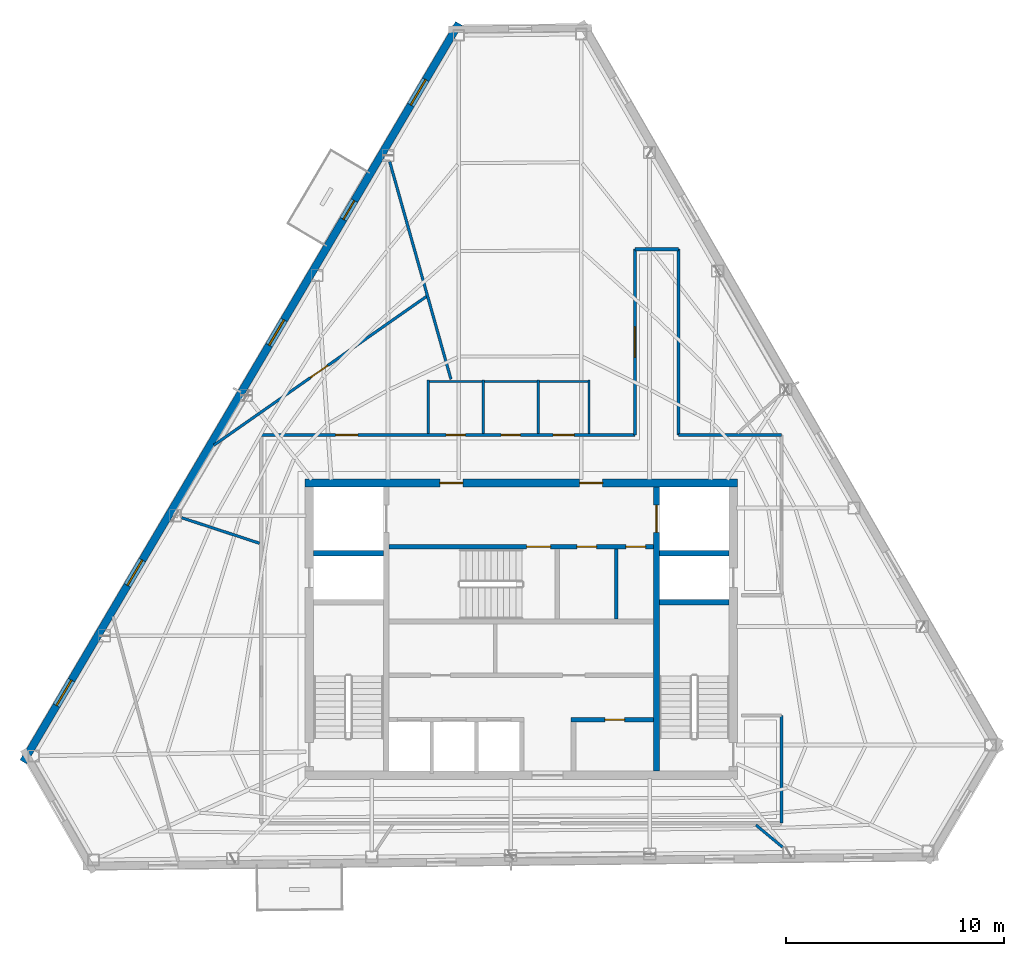
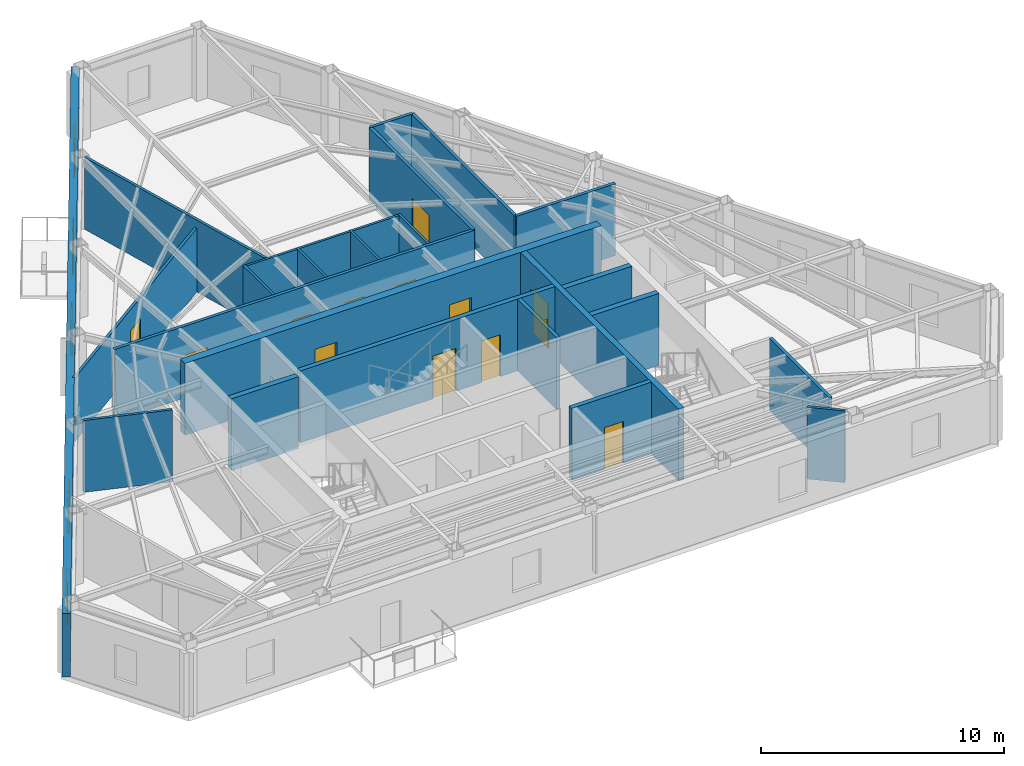
# One storey, part 8 of 11: 24 walls, 14 doors, 4 windows, 18 openings.
"""IFC4 building model written with IfcOpenShell, lengths in metres."""

import ifcopenshell
import ifcopenshell.guid

model = None  # the IFC model being written
_history = None  # IfcOwnerHistory: only IFC2X3 demands one
_inside = {}  # id of a spatial element -> (the spatial element, [elements in it])
_under = {}  # id of a project, library or spatial element -> (it, [spatial elements below it])
_declared = {}  # id of a project -> (the project, [libraries it declares])
_typed = {}  # id of a type object -> (the type object, [elements of that type])
_made_of = {}  # id of a material, layer set ... -> (it, [elements and type objects made of it])


def new_model(schema):
    """Start an empty IFC model of exactly this schema.

    Asked for "IFC4X3", IfcOpenShell would pick the latest addendum, in which some entities
    have other attributes; the version numbers below select the first issue.
    IFC2X3 requires an IfcOwnerHistory on every rooted entity: one is made here for all.
    """
    global model, _history
    if schema == "IFC4X3":
        model = ifcopenshell.file(schema_version=(4, 3, 0, 0))
    else:
        model = ifcopenshell.file(schema=schema)
    _inside.clear()
    _under.clear()
    _declared.clear()
    _typed.clear()
    _made_of.clear()
    _history = None
    if model.schema == "IFC2X3":
        org = make("IfcOrganization", Name="unknown")
        user = make(
            "IfcPersonAndOrganization",
            ThePerson=make("IfcPerson", FamilyName="unknown"),
            TheOrganization=org,
        )
        app = make(
            "IfcApplication",
            ApplicationDeveloper=org,
            Version="unknown",
            ApplicationFullName="unknown",
            ApplicationIdentifier="unknown",
        )
        _history = make(
            "IfcOwnerHistory",
            OwningUser=user,
            OwningApplication=app,
            ChangeAction="ADDED",
            CreationDate=0,
        )
    return model


def make(cls, **values):
    """One entity of the class cls with the attributes given. An attribute that is None is left unset."""
    return model.create_entity(
        cls, **{name: value for name, value in values.items() if value is not None}
    )


def rooted(cls, **values):
    """An entity with a GlobalId (a new one), such as an element, a storey or a relation."""
    return make(cls, GlobalId=ifcopenshell.guid.new(), OwnerHistory=_history, **values)


def si_unit(unit_type, name, prefix=None):
    """IfcSIUnit, for example si_unit("LENGTHUNIT", "METRE", prefix="MILLI")."""
    return make("IfcSIUnit", UnitType=unit_type, Prefix=prefix, Name=name)


def assignment(units):
    """IfcUnitAssignment: the units of a project."""
    return None if units is None else make("IfcUnitAssignment", Units=units)


def point(xyz):
    """IfcCartesianPoint."""
    return None if xyz is None else make("IfcCartesianPoint", Coordinates=xyz)


def direction(xyz):
    """IfcDirection."""
    return None if xyz is None else make("IfcDirection", DirectionRatios=xyz)


def frame(location, z_axis=None, x_axis=None):
    """IfcAxis2Placement3D, a coordinate frame: its origin and axes. An axis left out is left unset."""
    return make(
        "IfcAxis2Placement3D",
        Location=point(location),
        Axis=direction(z_axis),
        RefDirection=direction(x_axis),
    )


def frame_2d(location, x_axis=None):
    """IfcAxis2Placement2D, a coordinate frame in the plane: its origin and x axis."""
    return make(
        "IfcAxis2Placement2D", Location=point(location), RefDirection=direction(x_axis)
    )


def origin():
    """The frame at (0, 0, 0) with its axes left unset."""
    return frame((0.0, 0.0, 0.0))


def place(relative_to, where):
    """IfcLocalPlacement: puts the frame where relative to a parent placement (None: the world)."""
    return make(
        "IfcLocalPlacement", PlacementRelTo=relative_to, RelativePlacement=where
    )


def context(
    kind, dimensions, precision=None, world=None, true_north=None, identifier=None
):
    """IfcGeometricRepresentationContext, for example the 3D "Model" context."""
    return make(
        "IfcGeometricRepresentationContext",
        ContextIdentifier=identifier,
        ContextType=kind,
        CoordinateSpaceDimension=dimensions,
        Precision=precision,
        WorldCoordinateSystem=world,
        TrueNorth=true_north,
    )


def subcontext(parent, identifier, kind, view, scale=None):
    """IfcGeometricRepresentationSubContext, for example "Body" below "Model"."""
    return make(
        "IfcGeometricRepresentationSubContext",
        ContextIdentifier=identifier,
        ContextType=kind,
        ParentContext=parent,
        TargetScale=scale,
        TargetView=view,
    )


def project(units=None, contexts=None):
    """IfcProject with its units and contexts."""
    return rooted(
        "IfcProject",
        Name="project",
        RepresentationContexts=contexts,
        UnitsInContext=assignment(units),
    )


def spatial(cls, under=None, at=None, **own):
    """A site, building, storey or space (cls), placed at a placement, below another one or the project."""
    s = rooted(cls, ObjectPlacement=at, **own)
    if under is not None:
        _under.setdefault(under.id(), (under, []))[1].append(s)
    return s


def profile(cls, at=None, kind="AREA", **sizes):
    """A parametric profile (cls). Its sizes go by their IFC names, for example OverallWidth=200.0."""
    return make(cls, ProfileType=kind, Position=at, **sizes)


def rectangle(**sizes):
    """IfcRectangleProfileDef."""
    return profile("IfcRectangleProfileDef", **sizes)


def extrude(swept, where, along, depth):
    """IfcExtrudedAreaSolid: the profile swept, set in the frame where, extruded along a direction by depth."""
    return make(
        "IfcExtrudedAreaSolid",
        SweptArea=swept,
        Position=where,
        ExtrudedDirection=direction(along),
        Depth=depth,
    )


def shape(context_of_items, identifier, shape_type, items):
    """IfcShapeRepresentation: the items that make up one representation, for example the "Body"."""
    return make(
        "IfcShapeRepresentation",
        ContextOfItems=context_of_items,
        RepresentationIdentifier=identifier,
        RepresentationType=shape_type,
        Items=items,
    )


def material(Name=None, Category=None):
    """IfcMaterial."""
    return make("IfcMaterial", Name=Name, Category=Category)


def layer(
    of_material, thickness, ventilated=None, Name=None, Category=None, Priority=None
):
    """IfcMaterialLayer: one layer of a wall or slab, of a material (None: an air gap)."""
    return make(
        "IfcMaterialLayer",
        Material=of_material,
        LayerThickness=thickness,
        IsVentilated=ventilated,
        Name=Name,
        Category=Category,
        Priority=Priority,
    )


def layer_set(layers, Name=None):
    """IfcMaterialLayerSet."""
    return make("IfcMaterialLayerSet", MaterialLayers=layers, LayerSetName=Name)


def made_of(thing, what):
    """Note that an element or type object is made of a material, layer set ...; save() writes the relation."""
    if what is not None:
        _made_of.setdefault(what.id(), (what, []))[1].append(thing)
    return thing


def type_object(cls, material=None, **own):
    """A type object (cls), such as IfcWallType, which elements share."""
    return made_of(rooted(cls, **own), material)


def element(
    cls,
    number,
    at=None,
    inside=None,
    cuts=None,
    type_object=None,
    material=None,
    context=None,
    identifier="Body",
    shape_type=None,
    held_by="IfcProductDefinitionShape",
    body=None,
    shapes=None,
    **own,
):
    """One element of the class cls, such as IfcWall. Its Tag is "e" and its number.

    at: its placement. inside: the storey or other place that contains it. cuts: it is an
    opening in that element (IfcRelVoidsElement). A single representation is given by context,
    identifier, shape_type and body (its items); several are given by shapes. held_by: the class
    of the entity that holds the representations. save() writes the other relations.
    """
    e = rooted(cls, Tag="e%d" % number, ObjectPlacement=at, **own)
    if body is not None:
        shapes = [shape(context, identifier, shape_type, body)]
    if shapes is not None:
        e.Representation = make(held_by, Representations=shapes)
    if inside is not None:
        _inside.setdefault(inside.id(), (inside, []))[1].append(e)
    if cuts is not None:
        rooted(
            "IfcRelVoidsElement", RelatingBuildingElement=cuts, RelatedOpeningElement=e
        )
    if type_object is not None:
        _typed.setdefault(type_object.id(), (type_object, []))[1].append(e)
    return made_of(e, material)


def fill(opening, filler):
    """IfcRelFillsElement: the door or window that sits in an opening."""
    return rooted(
        "IfcRelFillsElement",
        RelatingOpeningElement=opening,
        RelatedBuildingElement=filler,
    )


def aggregate(whole, parts):
    """IfcRelAggregates: a whole, such as a stair, and the parts it consists of."""
    return rooted("IfcRelAggregates", RelatingObject=whole, RelatedObjects=parts)


def save(model, path):
    """Write the relations noted so far, then the file.

    IfcRelAggregates (storeys below a building ...), IfcRelContainedInSpatialStructure (elements
    in a storey), IfcRelDefinesByType, IfcRelAssociatesMaterial and IfcRelDeclares: one each for
    every whole, place, type object, material and project.
    """
    for whole, parts in _under.values():
        aggregate(whole, parts)
    for where, things in _inside.values():
        rooted(
            "IfcRelContainedInSpatialStructure",
            RelatedElements=things,
            RelatingStructure=where,
        )
    for kind, things in _typed.values():
        rooted("IfcRelDefinesByType", RelatedObjects=things, RelatingType=kind)
    for what, things in _made_of.values():
        rooted("IfcRelAssociatesMaterial", RelatedObjects=things, RelatingMaterial=what)
    for by, libraries in _declared.values():
        rooted("IfcRelDeclares", RelatingContext=by, RelatedDefinitions=libraries)
    model.write(path)


model = new_model("IFC4")

# Units and contexts
model_context = context("Model", 3, precision=1e-05, world=origin(), true_north=direction((0.0, 1.0)))
body_context = subcontext(model_context, "Body", "Model", "MODEL_VIEW")
ifc_project = project(units=[si_unit("LENGTHUNIT", "METRE"), si_unit("AREAUNIT", "SQUARE_METRE"), si_unit("VOLUMEUNIT", "CUBIC_METRE"), si_unit("PLANEANGLEUNIT", "RADIAN"), si_unit("MASSUNIT", "GRAM", prefix="KILO")], contexts=[model_context])

# Site, building, storey
site_placement = place(None, origin())
site = spatial("IfcSite", under=ifc_project, at=site_placement, CompositionType="ELEMENT")
building_placement = place(site_placement, origin())
building = spatial("IfcBuilding", under=site, at=building_placement, Name="Kavelnor Concourse Tower", CompositionType="ELEMENT")
storey_placement = place(building_placement, frame((0.0, 0.0, 285.699951171875)))
storey = spatial("IfcBuildingStorey", under=building, at=storey_placement, Name="L72", CompositionType="ELEMENT", Elevation=285.699951171875)

# Wall, openings, doors
ifc_material_1 = material(Name="Concrete C50/60", Category="concrete")
ifc_layer_1 = layer(ifc_material_1, 0.3798828125, Name="Concrete C50/60")
ifc_layer_set_1 = layer_set([ifc_layer_1], Name="Concrete C50/60")
wall_type_1 = type_object("IfcWallType", Name="WL-CORE-Z4-380", PredefinedType="SOLIDWALL", material=ifc_layer_set_1)
wall_1_placement = place(storey_placement, frame((28.10009765625, 22.7900390625, 0.0), z_axis=(0.0, 0.0, 1.0), x_axis=(1.0, 0.0, 0.0)))
wall_1 = element("IfcWall", 1, at=wall_1_placement, inside=storey, type_object=wall_type_1, Name="L72 Central Core North Shear Wall", PredefinedType="SOLIDWALL", context=body_context, shape_type="SweptSolid", body=[
    extrude(rectangle(XDim=19.7998046875, YDim=0.3798828125, at=frame_2d((9.89990234375, 0.0))), origin(), (0.0, 0.0, 1.0), 3.610107421875),
])
opening_1_placement = place(wall_1_placement, frame((6.175048828125, 0.0, 0.0)))
opening_1 = element("IfcOpeningElement", 2, at=opening_1_placement, cuts=wall_1, Name="Opening FD-105", PredefinedType="OPENING", context=body_context, shape_type="SweptSolid", body=[
    extrude(rectangle(XDim=1.050048828125, YDim=2.14990234375, at=frame_2d((0.52490234375, 1.074951171875))), frame((0.0, 0.199951171875, 0.0), z_axis=(0.0, -1.0, 0.0), x_axis=(1.0, 0.0, 0.0)), (0.0, 0.0, 1.0), 0.39990234375),
])
opening_2_placement = place(wall_1_placement, frame((12.574951171875, 0.0, 0.0)))
opening_2 = element("IfcOpeningElement", 3, at=opening_2_placement, cuts=wall_1, Name="Opening FD-105", PredefinedType="OPENING", context=body_context, shape_type="SweptSolid", body=[
    extrude(rectangle(XDim=1.050048828125, YDim=2.14990234375, at=frame_2d((0.52490234375, 1.074951171875))), frame((0.0, 0.199951171875, 0.0), z_axis=(0.0, -1.0, 0.0), x_axis=(1.0, 0.0, 0.0)), (0.0, 0.0, 1.0), 0.39990234375),
])
ifc_material_2 = material(Name="Steel Grade 350", Category="steel")
door_type_1 = type_object("IfcDoorType", Name="DR-LOBBY-FIRE-1050", OperationType="NOTDEFINED", PredefinedType="DOOR", material=ifc_material_2)
door_1_placement = place(opening_1_placement, origin())
door_1 = element("IfcDoor", 4, at=door_1_placement, inside=storey, type_object=door_type_1, Name="L72 Emergency Lift Lobby West Door", OperationType="SINGLE_SWING_LEFT", OverallHeight=2.14990234375, OverallWidth=1.050048828125, PredefinedType="DOOR", context=body_context, shape_type="SweptSolid", body=[
    extrude(rectangle(XDim=1.050048828125, YDim=2.14990234375, at=frame_2d((0.52490234375, 1.074951171875))), frame((0.0, 0.02490234375, 0.0), z_axis=(0.0, -1.0, 0.0), x_axis=(1.0, 0.0, 0.0)), (0.0, 0.0, 1.0), 0.050048828125),
])
fill(opening_1, door_1)
door_2_placement = place(opening_2_placement, origin())
door_2 = element("IfcDoor", 5, at=door_2_placement, inside=storey, type_object=door_type_1, Name="L72 Emergency Lift Lobby East Door", OperationType="SINGLE_SWING_RIGHT", OverallHeight=2.14990234375, OverallWidth=1.050048828125, PredefinedType="DOOR", context=body_context, shape_type="SweptSolid", body=[
    extrude(rectangle(XDim=1.050048828125, YDim=2.14990234375, at=frame_2d((0.52490234375, 1.074951171875))), frame((0.0, 0.02490234375, 0.0), z_axis=(0.0, -1.0, 0.0), x_axis=(1.0, 0.0, 0.0)), (0.0, 0.0, 1.0), 0.050048828125),
])
fill(opening_2, door_2)

# Wall, openings, door, windows
ifc_material_3 = material(Name="Red-ochre clay face brick masonry", Category="masonry")
ifc_layer_2 = layer(ifc_material_3, 0.35009765625, Name="Red-ochre clay face brick masonry")
ifc_layer_set_2 = layer_set([ifc_layer_2], Name="Red-ochre clay face brick masonry")
wall_type_2 = type_object("IfcWallType", Name="WL-EXT-RED-BRICK-PIER-350", PredefinedType="STANDARD", material=ifc_layer_set_2)
wall_2_placement = place(storey_placement, frame((15.194580078125, 10.018798828125, 0.0), z_axis=(0.0, 0.0, 1.0), x_axis=(0.508088294866, 0.861304989316, 0.0)))
wall_2 = element("IfcWall", 6, at=wall_2_placement, inside=storey, type_object=wall_type_2, Name="L72 Exterior Brick Facade Wall E1", PredefinedType="STANDARD", context=body_context, shape_type="SweptSolid", body=[
    extrude(rectangle(XDim=39.260498046875, YDim=0.35009765625, at=frame_2d((19.63037109375, 0.0))), origin(), (0.0, 0.0, 1.0), 3.196044921875),
])
opening_3_placement = place(wall_2_placement, frame((28.84521484375, 0.0, 0.0)))
opening_3 = element("IfcOpeningElement", 7, at=opening_3_placement, cuts=wall_2, Name="Opening BD-100", PredefinedType="OPENING", context=body_context, shape_type="SweptSolid", body=[
    extrude(rectangle(XDim=1.0, YDim=2.199951171875, at=frame_2d((0.5, 1.10009765625))), frame((0.0, 0.18505859375, 0.0), z_axis=(0.0, -1.0, 0.0), x_axis=(1.0, 0.0, 0.0)), (0.0, 0.0, 1.0), 0.3701171875),
])
opening_4_placement = place(wall_2_placement, frame((34.922119140625, 0.0, 0.64990234375)))
opening_4 = element("IfcOpeningElement", 8, at=opening_4_placement, cuts=wall_2, Name="Opening W-04", PredefinedType="OPENING", context=body_context, shape_type="SweptSolid", body=[
    extrude(rectangle(XDim=1.35009765625, YDim=1.75, at=frame_2d((0.675048828125, 0.875))), frame((0.0, 0.18505859375, 0.0), z_axis=(0.0, -1.0, 0.0), x_axis=(1.0, 0.0, 0.0)), (0.0, 0.0, 1.0), 0.3701171875),
])
opening_5_placement = place(wall_2_placement, frame((22.152099609375, 0.0, 0.64990234375)))
opening_5 = element("IfcOpeningElement", 9, at=opening_5_placement, cuts=wall_2, Name="Opening W-04", PredefinedType="OPENING", context=body_context, shape_type="SweptSolid", body=[
    extrude(rectangle(XDim=1.35009765625, YDim=1.75, at=frame_2d((0.675048828125, 0.875))), frame((0.0, 0.18505859375, 0.0), z_axis=(0.0, -1.0, 0.0), x_axis=(1.0, 0.0, 0.0)), (0.0, 0.0, 1.0), 0.3701171875),
])
opening_6_placement = place(wall_2_placement, frame((9.382080078125, 0.0, 0.64990234375)))
opening_6 = element("IfcOpeningElement", 10, at=opening_6_placement, cuts=wall_2, Name="Opening W-04", PredefinedType="OPENING", context=body_context, shape_type="SweptSolid", body=[
    extrude(rectangle(XDim=1.35009765625, YDim=1.75, at=frame_2d((0.675048828125, 0.875))), frame((0.0, 0.18505859375, 0.0), z_axis=(0.0, -1.0, 0.0), x_axis=(1.0, 0.0, 0.0)), (0.0, 0.0, 1.0), 0.3701171875),
])
opening_7_placement = place(wall_2_placement, frame((2.9970703125, 0.0, 0.64990234375)))
opening_7 = element("IfcOpeningElement", 11, at=opening_7_placement, cuts=wall_2, Name="Opening W-04", PredefinedType="OPENING", context=body_context, shape_type="SweptSolid", body=[
    extrude(rectangle(XDim=1.35009765625, YDim=1.75, at=frame_2d((0.675048828125, 0.875))), frame((0.0, 0.18505859375, 0.0), z_axis=(0.0, -1.0, 0.0), x_axis=(1.0, 0.0, 0.0)), (0.0, 0.0, 1.0), 0.3701171875),
])
ifc_material_4 = material(Name="Anodised aluminium 6063-T6", Category="aluminium")
door_type_2 = type_object("IfcDoorType", Name="DR-BALCONY-EXT-1000", OperationType="NOTDEFINED", PredefinedType="DOOR", material=ifc_material_4)
door_3_placement = place(opening_3_placement, origin())
door_3 = element("IfcDoor", 12, at=door_3_placement, inside=storey, type_object=door_type_2, Name="L72 Tree Balcony 1 Glazed Door", OperationType="SINGLE_SWING_LEFT", OverallHeight=2.199951171875, OverallWidth=1.0, PredefinedType="DOOR", context=body_context, shape_type="SweptSolid", body=[
    extrude(rectangle(XDim=1.0, YDim=2.199951171875, at=frame_2d((0.5, 1.10009765625))), frame((0.0, 0.02490234375, 0.0), z_axis=(0.0, -1.0, 0.0), x_axis=(1.0, 0.0, 0.0)), (0.0, 0.0, 1.0), 0.050048828125),
])
fill(opening_3, door_3)
ifc_material_5 = material(Name="Double low-E argon insulated glazing", Category="glass")
window_type = type_object("IfcWindowType", Name="WIN-PIER-Z4-1350", PartitioningType="SINGLE_PANEL", PredefinedType="WINDOW", material=ifc_material_5)
window_1_placement = place(opening_4_placement, origin())
window_1 = element("IfcWindow", 13, at=window_1_placement, inside=storey, type_object=window_type, Name="L72 Deep-Set Brick Pier Window F0-B0", OverallHeight=1.75, OverallWidth=1.35009765625, PartitioningType="SINGLE_PANEL", PredefinedType="WINDOW", context=body_context, shape_type="SweptSolid", body=[
    extrude(rectangle(XDim=1.35009765625, YDim=1.75, at=frame_2d((0.675048828125, 0.875))), frame((0.0, 0.030029296875, 0.0), z_axis=(0.0, -1.0, 0.0), x_axis=(1.0, 0.0, 0.0)), (0.0, 0.0, 1.0), 0.06005859375),
])
fill(opening_4, window_1)
window_2_placement = place(opening_5_placement, origin())
window_2 = element("IfcWindow", 14, at=window_2_placement, inside=storey, type_object=window_type, Name="L72 Deep-Set Brick Pier Window F0-B2", OverallHeight=1.75, OverallWidth=1.35009765625, PartitioningType="SINGLE_PANEL", PredefinedType="WINDOW", context=body_context, shape_type="SweptSolid", body=[
    extrude(rectangle(XDim=1.35009765625, YDim=1.75, at=frame_2d((0.675048828125, 0.875))), frame((0.0, 0.030029296875, 0.0), z_axis=(0.0, -1.0, 0.0), x_axis=(1.0, 0.0, 0.0)), (0.0, 0.0, 1.0), 0.06005859375),
])
fill(opening_5, window_2)
window_3_placement = place(opening_6_placement, origin())
window_3 = element("IfcWindow", 15, at=window_3_placement, inside=storey, type_object=window_type, Name="L72 Deep-Set Brick Pier Window F0-B4", OverallHeight=1.75, OverallWidth=1.35009765625, PartitioningType="SINGLE_PANEL", PredefinedType="WINDOW", context=body_context, shape_type="SweptSolid", body=[
    extrude(rectangle(XDim=1.35009765625, YDim=1.75, at=frame_2d((0.675048828125, 0.875))), frame((0.0, 0.030029296875, 0.0), z_axis=(0.0, -1.0, 0.0), x_axis=(1.0, 0.0, 0.0)), (0.0, 0.0, 1.0), 0.06005859375),
])
fill(opening_6, window_3)
window_4_placement = place(opening_7_placement, origin())
window_4 = element("IfcWindow", 16, at=window_4_placement, inside=storey, type_object=window_type, Name="L72 Deep-Set Brick Pier Window F0-B5", OverallHeight=1.75, OverallWidth=1.35009765625, PartitioningType="SINGLE_PANEL", PredefinedType="WINDOW", context=body_context, shape_type="SweptSolid", body=[
    extrude(rectangle(XDim=1.35009765625, YDim=1.75, at=frame_2d((0.675048828125, 0.875))), frame((0.0, 0.030029296875, 0.0), z_axis=(0.0, -1.0, 0.0), x_axis=(1.0, 0.0, 0.0)), (0.0, 0.0, 1.0), 0.06005859375),
])
fill(opening_7, window_4)

# Wall, opening, door
ifc_material_6 = material(Name="Gypsum plasterboard on light-gauge steel studs", Category="steel")
ifc_layer_3 = layer(ifc_material_6, 0.14501953125, Name="Gypsum plasterboard on light-gauge steel studs")
ifc_layer_set_3 = layer_set([ifc_layer_3], Name="Gypsum plasterboard on light-gauge steel studs")
wall_type_3 = type_object("IfcWallType", Name="WL-INT-CORR-145", PredefinedType="PARTITIONING", material=ifc_layer_set_3)
wall_3_placement = place(storey_placement, frame((43.199951171875, 24.989990234375, 0.0), z_axis=(0.0, 0.0, 1.0), x_axis=(0.0, 1.0, 0.0)))
wall_3 = element("IfcWall", 17, at=wall_3_placement, inside=storey, type_object=wall_type_3, Name="L72 Corridor Wall WL-L72-CR-01", PredefinedType="PARTITIONING", context=body_context, shape_type="SweptSolid", body=[
    extrude(rectangle(XDim=8.50439453125, YDim=0.14501953125, at=frame_2d((4.252197265625, 0.0))), origin(), (0.0, 0.0, 1.0), 3.610107421875),
])
opening_8_placement = place(wall_3_placement, frame((3.55224609375, 0.0, 0.0)))
opening_8 = element("IfcOpeningElement", 18, at=opening_8_placement, cuts=wall_3, Name="Opening SD-140", PredefinedType="OPENING", context=body_context, shape_type="SweptSolid", body=[
    extrude(rectangle(XDim=1.39990234375, YDim=2.199951171875, at=frame_2d((0.699951171875, 1.10009765625))), frame((0.0, 0.08251953125, 0.0), z_axis=(0.0, -1.0, 0.0), x_axis=(1.0, 0.0, 0.0)), (0.0, 0.0, 1.0), 0.1650390625),
])
ifc_material_7 = material(Name="Solid-core hardwood timber", Category="wood")
door_type_3 = type_object("IfcDoorType", Name="DR-SUITE-ENTRY-1400", OperationType="NOTDEFINED", PredefinedType="DOOR", material=ifc_material_7)
door_4_placement = place(opening_8_placement, origin())
door_4 = element("IfcDoor", 19, at=door_4_placement, inside=storey, type_object=door_type_3, Name="L72 Tenant Bookstore Retail Shop 01 Door", OperationType="SINGLE_SWING_RIGHT", OverallHeight=2.199951171875, OverallWidth=1.39990234375, PredefinedType="DOOR", context=body_context, shape_type="SweptSolid", body=[
    extrude(rectangle(XDim=1.39990234375, YDim=2.199951171875, at=frame_2d((0.699951171875, 1.10009765625))), frame((0.0, 0.02490234375, 0.0), z_axis=(0.0, -1.0, 0.0), x_axis=(1.0, 0.0, 0.0)), (0.0, 0.0, 1.0), 0.050048828125),
])
fill(opening_8, door_4)

# Walls
wall_4_placement = place(storey_placement, frame((43.199951171875, 33.494384765625, 0.0), z_axis=(0.0, 0.0, 1.0), x_axis=(1.0, 0.0, 0.0)))
element("IfcWall", 20, at=wall_4_placement, inside=storey, type_object=wall_type_3, Name="L72 Corridor Wall WL-L72-CR-02", PredefinedType="PARTITIONING", context=body_context, shape_type="SweptSolid", body=[
    extrude(rectangle(XDim=2.0, YDim=0.14501953125, at=frame_2d((1.0, 0.0))), origin(), (0.0, 0.0, 1.0), 3.610107421875),
])
wall_5_placement = place(storey_placement, frame((45.199951171875, 33.494384765625, 0.0), z_axis=(0.0, 0.0, 1.0), x_axis=(0.0, -1.0, 0.0)))
element("IfcWall", 21, at=wall_5_placement, inside=storey, type_object=wall_type_3, Name="L72 Corridor Wall WL-L72-CR-03", PredefinedType="PARTITIONING", context=body_context, shape_type="SweptSolid", body=[
    extrude(rectangle(XDim=8.50439453125, YDim=0.14501953125, at=frame_2d((4.252197265625, 0.0))), origin(), (0.0, 0.0, 1.0), 3.610107421875),
])
wall_6_placement = place(storey_placement, frame((45.199951171875, 24.989990234375, 0.0), z_axis=(0.0, 0.0, 1.0), x_axis=(1.0, 0.0, 0.0)))
element("IfcWall", 22, at=wall_6_placement, inside=storey, type_object=wall_type_3, Name="L72 Corridor Wall WL-L72-CR-04", PredefinedType="PARTITIONING", context=body_context, shape_type="SweptSolid", body=[
    extrude(rectangle(XDim=4.7099609375, YDim=0.14501953125, at=frame_2d((2.35498046875, 0.0))), origin(), (0.0, 0.0, 1.0), 3.610107421875),
])
wall_7_placement = place(storey_placement, frame((49.909912109375, 12.14990234375, 0.0), z_axis=(0.0, 0.0, 1.0), x_axis=(0.0, -1.0, 0.0)))
element("IfcWall", 23, at=wall_7_placement, inside=storey, type_object=wall_type_3, Name="L72 Corridor Wall WL-L72-CR-08", PredefinedType="PARTITIONING", context=body_context, shape_type="SweptSolid", body=[
    extrude(rectangle(XDim=4.93994140625, YDim=0.14501953125, at=frame_2d((2.469970703125, 0.0))), origin(), (0.0, 0.0, 1.0), 3.610107421875),
])

# Wall, openings, doors
wall_8_placement = place(storey_placement, frame((26.090087890625, 24.989990234375, 0.0), z_axis=(0.0, 0.0, 1.0), x_axis=(1.0, 0.0, 0.0)))
wall_8 = element("IfcWall", 24, at=wall_8_placement, inside=storey, type_object=wall_type_3, Name="L72 Corridor Wall WL-L72-CR-11", PredefinedType="PARTITIONING", context=body_context, shape_type="SweptSolid", body=[
    extrude(rectangle(XDim=17.10986328125, YDim=0.14501953125, at=frame_2d((8.554931640625, 0.0))), origin(), (0.0, 0.0, 1.0), 3.610107421875),
])
opening_9_placement = place(wall_8_placement, frame((8.469970703125, 0.0, 0.0)))
opening_9 = element("IfcOpeningElement", 25, at=opening_9_placement, cuts=wall_8, Name="Opening WD-088", PredefinedType="OPENING", context=body_context, shape_type="SweptSolid", body=[
    extrude(rectangle(XDim=0.8798828125, YDim=2.10009765625, at=frame_2d((0.43994140625, 1.050048828125))), frame((0.0, 0.08251953125, 0.0), z_axis=(0.0, -1.0, 0.0), x_axis=(1.0, 0.0, 0.0)), (0.0, 0.0, 1.0), 0.1650390625),
])
opening_10_placement = place(wall_8_placement, frame((10.989990234375, 0.0, 0.0)))
opening_10 = element("IfcOpeningElement", 26, at=opening_10_placement, cuts=wall_8, Name="Opening WD-088", PredefinedType="OPENING", context=body_context, shape_type="SweptSolid", body=[
    extrude(rectangle(XDim=0.8798828125, YDim=2.10009765625, at=frame_2d((0.43994140625, 1.050048828125))), frame((0.0, 0.08251953125, 0.0), z_axis=(0.0, -1.0, 0.0), x_axis=(1.0, 0.0, 0.0)), (0.0, 0.0, 1.0), 0.1650390625),
])
opening_11_placement = place(wall_8_placement, frame((13.3701171875, 0.0, 0.0)))
opening_11 = element("IfcOpeningElement", 27, at=opening_11_placement, cuts=wall_8, Name="Opening WD-096", PredefinedType="OPENING", context=body_context, shape_type="SweptSolid", body=[
    extrude(rectangle(XDim=0.9599609375, YDim=2.10009765625, at=frame_2d((0.47998046875, 1.050048828125))), frame((0.0, 0.08251953125, 0.0), z_axis=(0.0, -1.0, 0.0), x_axis=(1.0, 0.0, 0.0)), (0.0, 0.0, 1.0), 0.1650390625),
])
opening_12_placement = place(wall_8_placement, frame((3.405517578125, 0.0, 0.0)))
opening_12 = element("IfcOpeningElement", 28, at=opening_12_placement, cuts=wall_8, Name="Opening MD-102", PredefinedType="OPENING", context=body_context, shape_type="SweptSolid", body=[
    extrude(rectangle(XDim=1.02001953125, YDim=2.14990234375, at=frame_2d((0.510009765625, 1.074951171875))), frame((0.0, 0.08251953125, 0.0), z_axis=(0.0, -1.0, 0.0), x_axis=(1.0, 0.0, 0.0)), (0.0, 0.0, 1.0), 0.1650390625),
])
ifc_material_8 = material(Name="Acoustic glazed timber frame", Category="wood")
door_type_4 = type_object("IfcDoorType", Name="DR-MEETING-1020", OperationType="NOTDEFINED", PredefinedType="DOOR", material=ifc_material_8)
door_5_placement = place(opening_12_placement, origin())
door_5 = element("IfcDoor", 29, at=door_5_placement, inside=storey, type_object=door_type_4, Name="L72 Client Boardroom 02 Door", OperationType="SINGLE_SWING_LEFT", OverallHeight=2.14990234375, OverallWidth=1.02001953125, PredefinedType="DOOR", context=body_context, shape_type="SweptSolid", body=[
    extrude(rectangle(XDim=1.02001953125, YDim=2.14990234375, at=frame_2d((0.510009765625, 1.074951171875))), frame((0.0, 0.02490234375, 0.0), z_axis=(0.0, -1.0, 0.0), x_axis=(1.0, 0.0, 0.0)), (0.0, 0.0, 1.0), 0.050048828125),
])
fill(opening_12, door_5)
door_type_5 = type_object("IfcDoorType", Name="DR-WC-ACC-960", OperationType="NOTDEFINED", PredefinedType="DOOR", material=ifc_material_7)
door_6_placement = place(opening_11_placement, origin())
door_6 = element("IfcDoor", 30, at=door_6_placement, inside=storey, type_object=door_type_5, Name="L72 Accessible WC Door", OperationType="SINGLE_SWING_RIGHT", OverallHeight=2.10009765625, OverallWidth=0.9599609375, PredefinedType="DOOR", context=body_context, shape_type="SweptSolid", body=[
    extrude(rectangle(XDim=0.9599609375, YDim=2.10009765625, at=frame_2d((0.47998046875, 1.050048828125))), frame((0.0, 0.02490234375, 0.0), z_axis=(0.0, -1.0, 0.0), x_axis=(1.0, 0.0, 0.0)), (0.0, 0.0, 1.0), 0.050048828125),
])
fill(opening_11, door_6)
door_type_6 = type_object("IfcDoorType", Name="DR-WC-STD-880", OperationType="NOTDEFINED", PredefinedType="DOOR", material=ifc_material_7)
door_7_placement = place(opening_9_placement, origin())
door_7 = element("IfcDoor", 31, at=door_7_placement, inside=storey, type_object=door_type_6, Name="L72 Male WC Door", OperationType="SINGLE_SWING_RIGHT", OverallHeight=2.10009765625, OverallWidth=0.8798828125, PredefinedType="DOOR", context=body_context, shape_type="SweptSolid", body=[
    extrude(rectangle(XDim=0.8798828125, YDim=2.10009765625, at=frame_2d((0.43994140625, 1.050048828125))), frame((0.0, 0.02490234375, 0.0), z_axis=(0.0, -1.0, 0.0), x_axis=(1.0, 0.0, 0.0)), (0.0, 0.0, 1.0), 0.050048828125),
])
fill(opening_9, door_7)
door_8_placement = place(opening_10_placement, origin())
door_8 = element("IfcDoor", 32, at=door_8_placement, inside=storey, type_object=door_type_6, Name="L72 Female WC Door", OperationType="SINGLE_SWING_LEFT", OverallHeight=2.10009765625, OverallWidth=0.8798828125, PredefinedType="DOOR", context=body_context, shape_type="SweptSolid", body=[
    extrude(rectangle(XDim=0.8798828125, YDim=2.10009765625, at=frame_2d((0.43994140625, 1.050048828125))), frame((0.0, 0.02490234375, 0.0), z_axis=(0.0, -1.0, 0.0), x_axis=(1.0, 0.0, 0.0)), (0.0, 0.0, 1.0), 0.050048828125),
])
fill(opening_10, door_8)

# Walls
ifc_layer_4 = layer(ifc_material_6, 0.1650390625, Name="Gypsum plasterboard on light-gauge steel studs")
ifc_layer_set_4 = layer_set([ifc_layer_4], Name="Gypsum plasterboard on light-gauge steel studs")
wall_type_4 = type_object("IfcWallType", Name="WL-INT-FIRE-165", PredefinedType="PARTITIONING", material=ifc_layer_set_4)
wall_9_placement = place(storey_placement, frame((42.35009765625, 16.56005859375, 0.0), z_axis=(0.0, 0.0, 1.0), x_axis=(0.0, 1.0, 0.0)))
element("IfcWall", 33, at=wall_9_placement, inside=storey, type_object=wall_type_4, Name="L72 Core Support Asymmetric Divider", PredefinedType="PARTITIONING", context=body_context, shape_type="SweptSolid", body=[
    extrude(rectangle(XDim=3.199951171875, YDim=0.1650390625, at=frame_2d((1.60009765625, 0.0))), origin(), (0.0, 0.0, 1.0), 3.610107421875),
])
ifc_layer_5 = layer(ifc_material_6, 0.125, Name="Gypsum plasterboard on light-gauge steel studs")
ifc_layer_set_5 = layer_set([ifc_layer_5], Name="Gypsum plasterboard on light-gauge steel studs")
wall_type_5 = type_object("IfcWallType", Name="WL-INT-SUITE-125", PredefinedType="PARTITIONING", material=ifc_layer_set_5)
wall_10_placement = place(storey_placement, frame((34.778564453125, 27.5400390625, 0.0), z_axis=(0.0, 0.0, 1.0), x_axis=(-0.271059057767, 0.962562718581, 0.0)))
element("IfcWall", 34, at=wall_10_placement, inside=storey, type_object=wall_type_5, Name="L72 Radial Suite Partition 02", PredefinedType="PARTITIONING", context=body_context, shape_type="SweptSolid", body=[
    extrude(rectangle(XDim=10.3515625, YDim=0.125, at=frame_2d((5.17578125, 0.0))), origin(), (0.0, 0.0, 1.0), 3.610107421875),
])
wall_11_placement = place(storey_placement, frame((26.009521484375, 20.031494140625, 0.0), z_axis=(0.0, 0.0, 1.0), x_axis=(-0.950228276724, 0.311554525108, 0.0)))
element("IfcWall", 35, at=wall_11_placement, inside=storey, type_object=wall_type_5, Name="L72 Radial Suite Partition 03", PredefinedType="PARTITIONING", context=body_context, shape_type="SweptSolid", body=[
    extrude(rectangle(XDim=3.748779296875, YDim=0.125, at=frame_2d((1.87451171875, 0.0))), origin(), (0.0, 0.0, 1.0), 3.610107421875),
])
wall_12_placement = place(storey_placement, frame((48.74560546875, 7.12939453125, 0.0), z_axis=(0.0, 0.0, 1.0), x_axis=(0.767690958006, -0.640820250145, 0.0)))
element("IfcWall", 36, at=wall_12_placement, inside=storey, type_object=wall_type_5, Name="L72 Radial Suite Partition 05", PredefinedType="PARTITIONING", context=body_context, shape_type="SweptSolid", body=[
    extrude(rectangle(XDim=1.585693359375, YDim=0.125, at=frame_2d((0.79296875, 0.0))), origin(), (0.0, 0.0, 1.0), 3.610107421875),
])

# Wall, opening, door
wall_13_placement = place(storey_placement, frame((33.68896484375, 31.354248046875, 0.0), z_axis=(0.0, 0.0, 1.0), x_axis=(-0.819358941252, -0.573280843384, 0.0)))
wall_13 = element("IfcWall", 37, at=wall_13_placement, inside=storey, type_object=wall_type_5, Name="L72 Suite Subdivision Partition 02", PredefinedType="PARTITIONING", context=body_context, shape_type="SweptSolid", body=[
    extrude(rectangle(XDim=11.91748046875, YDim=0.125, at=frame_2d((5.958740234375, 0.0))), origin(), (0.0, 0.0, 1.0), 3.198974609375),
])
opening_13_placement = place(wall_13_placement, frame((5.554443359375, 0.0, 0.0)))
opening_13 = element("IfcOpeningElement", 38, at=opening_13_placement, cuts=wall_13, Name="Opening OD-098", PredefinedType="OPENING", context=body_context, shape_type="SweptSolid", body=[
    extrude(rectangle(XDim=0.97998046875, YDim=2.14990234375, at=frame_2d((0.489990234375, 1.074951171875))), frame((0.0, 0.072509765625, 0.0), z_axis=(0.0, -1.0, 0.0), x_axis=(1.0, 0.0, 0.0)), (0.0, 0.0, 1.0), 0.14501953125),
])
door_type_7 = type_object("IfcDoorType", Name="DR-OFFICE-980", OperationType="NOTDEFINED", PredefinedType="DOOR", material=ifc_material_7)
door_9_placement = place(opening_13_placement, origin())
door_9 = element("IfcDoor", 39, at=door_9_placement, inside=storey, type_object=door_type_7, Name="L72 Client Concierge 03 Door", OperationType="SINGLE_SWING_RIGHT", OverallHeight=2.14990234375, OverallWidth=0.97998046875, PredefinedType="DOOR", context=body_context, shape_type="SweptSolid", body=[
    extrude(rectangle(XDim=0.97998046875, YDim=2.14990234375, at=frame_2d((0.489990234375, 1.074951171875))), frame((0.0, 0.02490234375, 0.0), z_axis=(0.0, -1.0, 0.0), x_axis=(1.0, 0.0, 0.0)), (0.0, 0.0, 1.0), 0.050048828125),
])
fill(opening_13, door_9)

# Walls
ifc_layer_6 = layer(ifc_material_6, 0.110107421875, Name="Gypsum plasterboard on light-gauge steel studs")
ifc_layer_set_6 = layer_set([ifc_layer_6], Name="Gypsum plasterboard on light-gauge steel studs")
wall_type_6 = type_object("IfcWallType", Name="WL-INT-WC-110", PredefinedType="PLUMBINGWALL", material=ifc_layer_set_6)
for number, where, z_axis, x_axis, name in (
    (40, (33.739990234375, 25.06005859375, 0.0), (0.0, 0.0, 1.0), (0.0, 1.0, 0.0), "L72 Sanitary Partition WL-L72-WC-W"),
    (41, (36.260009765625, 25.06005859375, 0.0), (0.0, 0.0, 1.0), (0.0, 1.0, 0.0), "L72 Sanitary Partition WL-L72-WC-D1"),
    (42, (38.780029296875, 25.06005859375, 0.0), (0.0, 0.0, 1.0), (0.0, 1.0, 0.0), "L72 Sanitary Partition WL-L72-WC-D2"),
    (43, (41.10009765625, 25.06005859375, 0.0), (0.0, 0.0, 1.0), (0.0, 1.0, 0.0), "L72 Sanitary Partition WL-L72-WC-E"),
):
    element("IfcWall", number, at=place(storey_placement, frame(where, z_axis=z_axis, x_axis=x_axis)), inside=storey, type_object=wall_type_6, Name=name, PredefinedType="PLUMBINGWALL", context=body_context, shape_type="SweptSolid", body=[
        extrude(rectangle(XDim=2.43994140625, YDim=0.110107421875, at=frame_2d((1.219970703125, 0.0))), origin(), (0.0, 0.0, 1.0), 3.610107421875),
    ])
wall_14_placement = place(storey_placement, frame((33.68994140625, 27.43994140625, 0.0), z_axis=(0.0, 0.0, 1.0), x_axis=(1.0, 0.0, 0.0)))
element("IfcWall", 44, at=wall_14_placement, inside=storey, type_object=wall_type_6, Name="L72 Sanitary Partition WL-L72-WC-N", PredefinedType="PLUMBINGWALL", context=body_context, shape_type="SweptSolid", body=[
    extrude(rectangle(XDim=7.4599609375, YDim=0.110107421875, at=frame_2d((3.72998046875, 0.0))), origin(), (0.0, 0.0, 1.0), 3.610107421875),
])

# Wall, openings, doors
ifc_layer_7 = layer(ifc_material_1, 0.219970703125, Name="Concrete C50/60")
ifc_layer_set_7 = layer_set([ifc_layer_7], Name="Concrete C50/60")
wall_type_7 = type_object("IfcWallType", Name="WL-SHAFT-220", PredefinedType="SOLIDWALL", material=ifc_layer_set_7)
wall_15_placement = place(storey_placement, frame((31.93994140625, 19.8701171875, 0.0), z_axis=(0.0, 0.0, 1.0), x_axis=(1.0, 0.0, 0.0)))
wall_15 = element("IfcWall", 45, at=wall_15_placement, inside=storey, type_object=wall_type_7, Name="L72 Emergency Lift Lobby South Wall", PredefinedType="SOLIDWALL", context=body_context, shape_type="SweptSolid", body=[
    extrude(rectangle(XDim=12.1201171875, YDim=0.219970703125, at=frame_2d((6.06005859375, 0.0))), origin(), (0.0, 0.0, 1.0), 3.610107421875),
])
opening_14_placement = place(wall_15_placement, frame((6.300048828125, 0.0, 0.0)))
opening_14 = element("IfcOpeningElement", 46, at=opening_14_placement, cuts=wall_15, Name="Opening FD-110", PredefinedType="OPENING", context=body_context, shape_type="SweptSolid", body=[
    extrude(rectangle(XDim=1.10009765625, YDim=2.14990234375, at=frame_2d((0.550048828125, 1.074951171875))), frame((0.0, 0.1201171875, 0.0), z_axis=(0.0, -1.0, 0.0), x_axis=(1.0, 0.0, 0.0)), (0.0, 0.0, 1.0), 0.239990234375),
])
opening_15_placement = place(wall_15_placement, frame((8.610107421875, 0.0, 0.0)))
opening_15 = element("IfcOpeningElement", 47, at=opening_15_placement, cuts=wall_15, Name="Opening FD-090", PredefinedType="OPENING", context=body_context, shape_type="SweptSolid", body=[
    extrude(rectangle(XDim=0.89990234375, YDim=2.10009765625, at=frame_2d((0.449951171875, 1.050048828125))), frame((0.0, 0.1201171875, 0.0), z_axis=(0.0, -1.0, 0.0), x_axis=(1.0, 0.0, 0.0)), (0.0, 0.0, 1.0), 0.239990234375),
])
opening_16_placement = place(wall_15_placement, frame((10.85009765625, 0.0, 0.0)))
opening_16 = element("IfcOpeningElement", 48, at=opening_16_placement, cuts=wall_15, Name="Opening FD-090", PredefinedType="OPENING", context=body_context, shape_type="SweptSolid", body=[
    extrude(rectangle(XDim=0.89990234375, YDim=2.10009765625, at=frame_2d((0.449951171875, 1.050048828125))), frame((0.0, 0.1201171875, 0.0), z_axis=(0.0, -1.0, 0.0), x_axis=(1.0, 0.0, 0.0)), (0.0, 0.0, 1.0), 0.239990234375),
])
door_type_8 = type_object("IfcDoorType", Name="DR-RISER-FIRE-900", OperationType="NOTDEFINED", PredefinedType="DOOR", material=ifc_material_2)
door_10_placement = place(opening_15_placement, origin())
door_10 = element("IfcDoor", 49, at=door_10_placement, inside=storey, type_object=door_type_8, Name="L72 Electrical Room Door", OperationType="SINGLE_SWING_LEFT", OverallHeight=2.10009765625, OverallWidth=0.89990234375, PredefinedType="DOOR", context=body_context, shape_type="SweptSolid", body=[
    extrude(rectangle(XDim=0.89990234375, YDim=2.10009765625, at=frame_2d((0.449951171875, 1.050048828125))), frame((0.0, 0.02490234375, 0.0), z_axis=(0.0, -1.0, 0.0), x_axis=(1.0, 0.0, 0.0)), (0.0, 0.0, 1.0), 0.050048828125),
])
fill(opening_15, door_10)
door_11_placement = place(opening_16_placement, origin())
door_11 = element("IfcDoor", 50, at=door_11_placement, inside=storey, type_object=door_type_8, Name="L72 Cleaner Store Door", OperationType="SINGLE_SWING_RIGHT", OverallHeight=2.10009765625, OverallWidth=0.89990234375, PredefinedType="DOOR", context=body_context, shape_type="SweptSolid", body=[
    extrude(rectangle(XDim=0.89990234375, YDim=2.10009765625, at=frame_2d((0.449951171875, 1.050048828125))), frame((0.0, 0.02490234375, 0.0), z_axis=(0.0, -1.0, 0.0), x_axis=(1.0, 0.0, 0.0)), (0.0, 0.0, 1.0), 0.050048828125),
])
fill(opening_16, door_11)
door_type_9 = type_object("IfcDoorType", Name="DR-STAIR-FIRE-1100", OperationType="NOTDEFINED", PredefinedType="DOOR", material=ifc_material_2)
door_12_placement = place(opening_14_placement, origin())
door_12 = element("IfcDoor", 51, at=door_12_placement, inside=storey, type_object=door_type_9, Name="L72 Stair ST3 Fire Door", OperationType="SINGLE_SWING_LEFT", OverallHeight=2.14990234375, OverallWidth=1.10009765625, PredefinedType="DOOR", context=body_context, shape_type="SweptSolid", body=[
    extrude(rectangle(XDim=1.10009765625, YDim=2.14990234375, at=frame_2d((0.550048828125, 1.074951171875))), frame((0.0, 0.02490234375, 0.0), z_axis=(0.0, -1.0, 0.0), x_axis=(1.0, 0.0, 0.0)), (0.0, 0.0, 1.0), 0.050048828125),
])
fill(opening_14, door_12)

# Wall, opening, door
wall_16_placement = place(storey_placement, frame((40.280029296875, 11.949951171875, 0.0), z_axis=(0.0, 0.0, 1.0), x_axis=(1.0, 0.0, 0.0)))
wall_16 = element("IfcWall", 52, at=wall_16_placement, inside=storey, type_object=wall_type_7, Name="L72 Core South Support North Wall", PredefinedType="SOLIDWALL", context=body_context, shape_type="SweptSolid", body=[
    extrude(rectangle(XDim=3.780029296875, YDim=0.219970703125, at=frame_2d((1.89013671875, 0.0))), origin(), (0.0, 0.0, 1.0), 3.610107421875),
])
opening_17_placement = place(wall_16_placement, frame((1.550048828125, 0.0, 0.0)))
opening_17 = element("IfcOpeningElement", 53, at=opening_17_placement, cuts=wall_16, Name="Opening FD-090", PredefinedType="OPENING", context=body_context, shape_type="SweptSolid", body=[
    extrude(rectangle(XDim=0.89990234375, YDim=2.10009765625, at=frame_2d((0.449951171875, 1.050048828125))), frame((0.0, 0.1201171875, 0.0), z_axis=(0.0, -1.0, 0.0), x_axis=(1.0, 0.0, 0.0)), (0.0, 0.0, 1.0), 0.239990234375),
])
door_13_placement = place(opening_17_placement, origin())
door_13 = element("IfcDoor", 54, at=door_13_placement, inside=storey, type_object=door_type_8, Name="L72 Core Utility Store Door", OperationType="SINGLE_SWING_LEFT", OverallHeight=2.10009765625, OverallWidth=0.89990234375, PredefinedType="DOOR", context=body_context, shape_type="SweptSolid", body=[
    extrude(rectangle(XDim=0.89990234375, YDim=2.10009765625, at=frame_2d((0.449951171875, 1.050048828125))), frame((0.0, 0.02490234375, 0.0), z_axis=(0.0, -1.0, 0.0), x_axis=(1.0, 0.0, 0.0)), (0.0, 0.0, 1.0), 0.050048828125),
])
fill(opening_17, door_13)

ifc_layer_8 = layer(ifc_material_1, 0.260009765625, Name="Concrete C50/60")
ifc_layer_set_8 = layer_set([ifc_layer_8], Name="Concrete C50/60")
wall_type_8 = type_object("IfcWallType", Name="WL-SHAFT-260", PredefinedType="SHEAR", material=ifc_layer_set_8)
wall_17_placement = place(storey_placement, frame((44.18994140625, 9.60009765625, 0.0), z_axis=(0.0, 0.0, 1.0), x_axis=(0.0, 1.0, 0.0)))
wall_17 = element("IfcWall", 55, at=wall_17_placement, inside=storey, type_object=wall_type_8, Name="L72 Core East Wing Shear Wall", PredefinedType="SHEAR", context=body_context, shape_type="SweptSolid", body=[
    extrude(rectangle(XDim=13.0, YDim=0.260009765625, at=frame_2d((6.5, 0.0))), origin(), (0.0, 0.0, 1.0), 3.610107421875),
])
opening_18_placement = place(wall_17_placement, frame((10.925048828125, 0.0, 0.0)))
opening_18 = element("IfcOpeningElement", 56, at=opening_18_placement, cuts=wall_17, Name="Opening LD-125", PredefinedType="OPENING", context=body_context, shape_type="SweptSolid", body=[
    extrude(rectangle(XDim=1.25, YDim=2.25, at=frame_2d((0.625, 1.125))), frame((0.0, 0.14013671875, 0.0), z_axis=(0.0, -1.0, 0.0), x_axis=(1.0, 0.0, 0.0)), (0.0, 0.0, 1.0), 0.280029296875),
])
door_type_10 = type_object("IfcDoorType", Name="DR-LIFT-SLIDING-1250", OperationType="NOTDEFINED", PredefinedType="DOOR", material=ifc_material_2)
door_14_placement = place(opening_18_placement, origin())
door_14 = element("IfcDoor", 57, at=door_14_placement, inside=storey, type_object=door_type_10, Name="L72 Emergency Lift FL2 Landing Door", OperationType="DOUBLE_DOOR_SLIDING", OverallHeight=2.25, OverallWidth=1.25, PredefinedType="DOOR", context=body_context, shape_type="SweptSolid", body=[
    extrude(rectangle(XDim=1.25, YDim=2.25, at=frame_2d((0.625, 1.125))), frame((0.0, 0.02490234375, 0.0), z_axis=(0.0, -1.0, 0.0), x_axis=(1.0, 0.0, 0.0)), (0.0, 0.0, 1.0), 0.050048828125),
])
fill(opening_18, door_14)

# Walls
for number, where, z_axis, x_axis, name in (
    (58, (28.47998046875, 19.570068359375, 0.0), (0.0, 0.0, 1.0), (1.0, 0.0, 0.0), "L72 Emergency Lift FL1 South Shaft Wall"),
    (59, (44.320068359375, 17.330078125, 0.0), (0.0, 0.0, 1.0), (1.0, 0.0, 0.0), "L72 Stair ST2 North Shaft Wall"),
    (60, (44.320068359375, 19.570068359375, 0.0), (0.0, 0.0, 1.0), (1.0, 0.0, 0.0), "L72 Emergency Lift FL2 South Shaft Wall"),
):
    element("IfcWall", number, at=place(storey_placement, frame(where, z_axis=z_axis, x_axis=x_axis)), inside=storey, type_object=wall_type_8, Name=name, PredefinedType="SHEAR", context=body_context, shape_type="SweptSolid", body=[
        extrude(rectangle(XDim=3.199951171875, YDim=0.260009765625, at=frame_2d((1.60009765625, 0.0))), origin(), (0.0, 0.0, 1.0), 3.610107421875),
    ])

save(model, "model.ifc")
